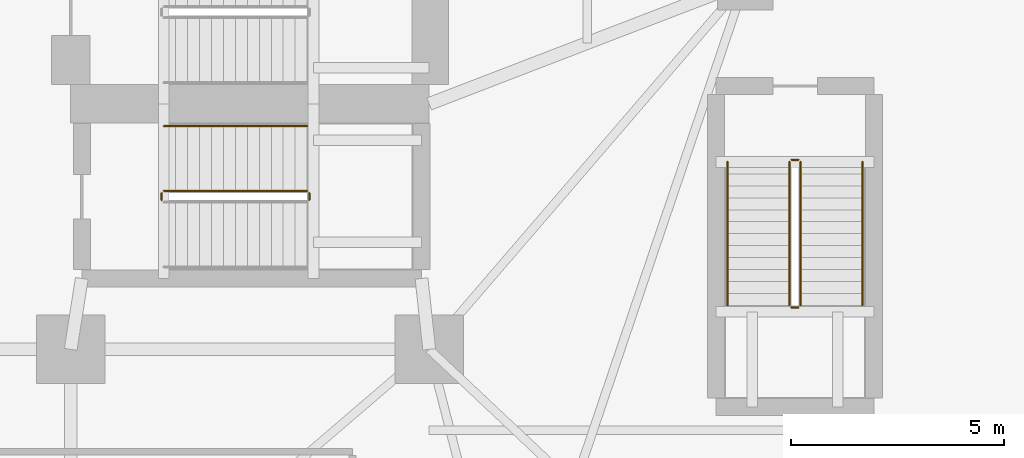
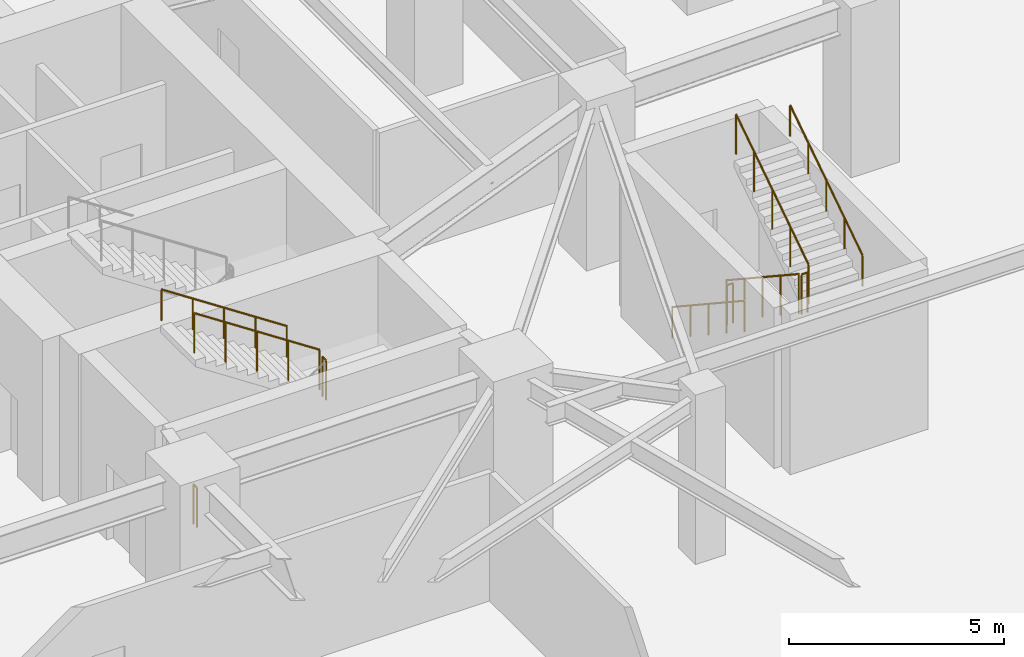
# One storey, part 18 of 23: 10 railings.
"""IFC4 building model written with IfcOpenShell, lengths in metres."""

from ifc_helpers import new_model, si_unit, direction, frame, origin, origin_2d, place, context, subcontext, project, spatial, circle, extrude, material, type_object, element, save


model = new_model("IFC4")

# Units and contexts
model_context = context("Model", 3, precision=1e-05, world=origin(), true_north=direction((0.0, 1.0)))
body_context = subcontext(model_context, "Body", "Model", "MODEL_VIEW")
ifc_project = project(units=[si_unit("LENGTHUNIT", "METRE"), si_unit("AREAUNIT", "SQUARE_METRE"), si_unit("VOLUMEUNIT", "CUBIC_METRE"), si_unit("PLANEANGLEUNIT", "RADIAN"), si_unit("MASSUNIT", "GRAM", prefix="KILO")], contexts=[model_context])

# Site, building, storey
site_placement = place(None, origin())
site = spatial("IfcSite", under=ifc_project, at=site_placement, CompositionType="ELEMENT")
building_placement = place(site_placement, origin())
building = spatial("IfcBuilding", under=site, at=building_placement, Name="Qingluan Cross Belvedere", CompositionType="ELEMENT")
storey_placement = place(building_placement, frame((0.0, 0.0, 5.39990234375)))
storey = spatial("IfcBuildingStorey", under=building, at=storey_placement, Name="L02", CompositionType="ELEMENT", Elevation=5.39990234375)

# Railings
ifc_material_1 = material(Name="Brushed stainless steel tubular handrail", Category="steel")
railing_type_1 = type_object("IfcRailingType", Name="StairPitchHandrail_900", PredefinedType="HANDRAIL", material=ifc_material_1)
railing_1_placement = place(storey_placement, frame((9.5400390625, -7.3701171875, 2.584716796875)))
element("IfcRailing", 1, at=railing_1_placement, inside=storey, type_object=railing_type_1, Name="L02 ST4 stair handrail 2", PredefinedType="HANDRAIL", context=body_context, shape_type="SweptSolid", body=[
    extrude(circle(Radius=0.02392578125, at=origin_2d()), frame((0.0, 0.0, 0.8759765625), z_axis=(-0.834876476806, 0.0, 0.550437342915), x_axis=(0.0, -1.0, 0.0)), (0.0, 0.0, 1.0), 4.024658203125),
    extrude(circle(Radius=0.02099609375, at=origin_2d()), origin(), (0.0, 0.0, 1.0), 0.851806640625),
    extrude(circle(Radius=0.02099609375, at=origin_2d()), frame((-0.840087890625, 0.0, 0.5537109375)), (0.0, 0.0, 1.0), 0.851806640625),
    extrude(circle(Radius=0.02099609375, at=origin_2d()), frame((-1.68017578125, 0.0, 1.107666015625)), (0.0, 0.0, 1.0), 0.851806640625),
    extrude(circle(Radius=0.02099609375, at=origin_2d()), frame((-2.52001953125, 0.0, 1.66162109375)), (0.0, 0.0, 1.0), 0.851806640625),
    extrude(circle(Radius=0.02099609375, at=origin_2d()), frame((-3.360107421875, 0.0, 2.21533203125)), (0.0, 0.0, 1.0), 0.851806640625),
])
railing_2_placement = place(storey_placement, frame((19.389892578125, -8.2099609375, 0.184814453125)))
element("IfcRailing", 2, at=railing_2_placement, inside=storey, type_object=railing_type_1, Name="L02 ST6 stair handrail 1", PredefinedType="HANDRAIL", context=body_context, shape_type="SweptSolid", body=[
    extrude(circle(Radius=0.02392578125, at=origin_2d()), frame((0.0, 0.0, 0.8759765625), z_axis=(0.0, -0.834876476806, 0.550437342915), x_axis=(1.0, 0.0, 0.0)), (0.0, 0.0, 1.0), 4.024658203125),
    extrude(circle(Radius=0.02099609375, at=origin_2d()), origin(), (0.0, 0.0, 1.0), 0.851806640625),
    extrude(circle(Radius=0.02099609375, at=origin_2d()), frame((0.0, -0.840087890625, 0.5537109375)), (0.0, 0.0, 1.0), 0.851806640625),
    extrude(circle(Radius=0.02099609375, at=origin_2d()), frame((0.0, -1.68017578125, 1.107666015625)), (0.0, 0.0, 1.0), 0.851806640625),
    extrude(circle(Radius=0.02099609375, at=origin_2d()), frame((0.0, -2.52001953125, 1.66162109375)), (0.0, 0.0, 1.0), 0.851806640625),
    extrude(circle(Radius=0.02099609375, at=origin_2d()), frame((0.0, -3.360107421875, 2.21533203125)), (0.0, 0.0, 1.0), 0.851806640625),
])
railing_3_placement = place(storey_placement, frame((22.550048828125, -11.570068359375, 2.584716796875)))
element("IfcRailing", 3, at=railing_3_placement, inside=storey, type_object=railing_type_1, Name="L02 ST6 stair handrail 2", PredefinedType="HANDRAIL", context=body_context, shape_type="SweptSolid", body=[
    extrude(circle(Radius=0.02392578125, at=origin_2d()), frame((0.0, 0.0, 0.8759765625), z_axis=(0.0, 0.834876476806, 0.550437342915), x_axis=(-1.0, 0.0, 0.0)), (0.0, 0.0, 1.0), 4.024658203125),
    extrude(circle(Radius=0.02099609375, at=origin_2d()), origin(), (0.0, 0.0, 1.0), 0.851806640625),
    extrude(circle(Radius=0.02099609375, at=origin_2d()), frame((0.0, 0.840087890625, 0.5537109375)), (0.0, 0.0, 1.0), 0.851806640625),
    extrude(circle(Radius=0.02099609375, at=origin_2d()), frame((0.0, 1.68017578125, 1.107666015625)), (0.0, 0.0, 1.0), 0.851806640625),
    extrude(circle(Radius=0.02099609375, at=origin_2d()), frame((0.0, 2.52001953125, 1.66162109375)), (0.0, 0.0, 1.0), 0.851806640625),
    extrude(circle(Radius=0.02099609375, at=origin_2d()), frame((0.0, 3.360107421875, 2.21533203125)), (0.0, 0.0, 1.0), 0.851806640625),
])
ifc_material_2 = material(Name="Painted steel stair well guard", Category="steel")
railing_type_2 = type_object("IfcRailingType", Name="StairWellGuard_1150", PredefinedType="BALUSTRADE", material=ifc_material_2)
railing_4_placement = place(storey_placement, frame((9.590087890625, -9.10009765625, 2.400146484375)))
element("IfcRailing", 4, at=railing_4_placement, inside=storey, type_object=railing_type_2, Name="L02 ST4 stair guard 2", PredefinedType="BALUSTRADE", context=body_context, shape_type="SweptSolid", body=[
    extrude(circle(Radius=0.02392578125, at=origin_2d()), frame((0.0, 0.0, 1.1259765625), z_axis=(0.0, 1.0, 0.0), x_axis=(-1.0, 0.0, 0.0)), (0.0, 0.0, 1.0), 0.16015625),
    extrude(circle(Radius=0.02099609375, at=origin_2d()), origin(), (0.0, 0.0, 1.0), 1.101806640625),
    extrude(circle(Radius=0.02099609375, at=origin_2d()), frame((0.0, 0.16015625, 0.0)), (0.0, 0.0, 1.0), 1.101806640625),
])
railing_5_placement = place(storey_placement, frame((9.5400390625, -8.889892578125, 2.584716796875)))
element("IfcRailing", 5, at=railing_5_placement, inside=storey, type_object=railing_type_2, Name="L02 ST4 stair guard 3", PredefinedType="BALUSTRADE", context=body_context, shape_type="SweptSolid", body=[
    extrude(circle(Radius=0.02392578125, at=origin_2d()), frame((0.0, 0.0, 1.1259765625), z_axis=(-0.834876476806, 0.0, 0.550437342915), x_axis=(0.0, -1.0, 0.0)), (0.0, 0.0, 1.0), 4.024658203125),
    extrude(circle(Radius=0.02099609375, at=origin_2d()), origin(), (0.0, 0.0, 1.0), 1.101806640625),
    extrude(circle(Radius=0.02099609375, at=origin_2d()), frame((-0.840087890625, 0.0, 0.5537109375)), (0.0, 0.0, 1.0), 1.101806640625),
    extrude(circle(Radius=0.02099609375, at=origin_2d()), frame((-1.68017578125, 0.0, 1.107666015625)), (0.0, 0.0, 1.0), 1.101806640625),
    extrude(circle(Radius=0.02099609375, at=origin_2d()), frame((-2.52001953125, 0.0, 1.66162109375)), (0.0, 0.0, 1.0), 1.101806640625),
    extrude(circle(Radius=0.02099609375, at=origin_2d()), frame((-3.360107421875, 0.0, 2.21533203125)), (0.0, 0.0, 1.0), 1.101806640625),
])
railing_6_placement = place(storey_placement, frame((6.1298828125, -9.10009765625, 0.0)))
element("IfcRailing", 6, at=railing_6_placement, inside=storey, type_object=railing_type_2, Name="L02 ST4 stair guard 4", PredefinedType="BALUSTRADE", context=body_context, shape_type="SweptSolid", body=[
    extrude(circle(Radius=0.02392578125, at=origin_2d()), frame((0.0, 0.0, 1.1259765625), z_axis=(0.0, 1.0, 0.0), x_axis=(-1.0, 0.0, 0.0)), (0.0, 0.0, 1.0), 0.16015625),
    extrude(circle(Radius=0.02099609375, at=origin_2d()), origin(), (0.0, 0.0, 1.0), 1.101806640625),
    extrude(circle(Radius=0.02099609375, at=origin_2d()), frame((0.0, 0.16015625, 0.0)), (0.0, 0.0, 1.0), 1.101806640625),
])
railing_7_placement = place(storey_placement, frame((20.840087890625, -8.2099609375, 0.184814453125)))
element("IfcRailing", 7, at=railing_7_placement, inside=storey, type_object=railing_type_2, Name="L02 ST6 stair guard 1", PredefinedType="BALUSTRADE", context=body_context, shape_type="SweptSolid", body=[
    extrude(circle(Radius=0.02392578125, at=origin_2d()), frame((0.0, 0.0, 1.1259765625), z_axis=(0.0, -0.834876476806, 0.550437342915), x_axis=(1.0, 0.0, 0.0)), (0.0, 0.0, 1.0), 4.024658203125),
    extrude(circle(Radius=0.02099609375, at=origin_2d()), origin(), (0.0, 0.0, 1.0), 1.101806640625),
    extrude(circle(Radius=0.02099609375, at=origin_2d()), frame((0.0, -0.840087890625, 0.5537109375)), (0.0, 0.0, 1.0), 1.101806640625),
    extrude(circle(Radius=0.02099609375, at=origin_2d()), frame((0.0, -1.68017578125, 1.107666015625)), (0.0, 0.0, 1.0), 1.101806640625),
    extrude(circle(Radius=0.02099609375, at=origin_2d()), frame((0.0, -2.52001953125, 1.66162109375)), (0.0, 0.0, 1.0), 1.101806640625),
    extrude(circle(Radius=0.02099609375, at=origin_2d()), frame((0.0, -3.360107421875, 2.21533203125)), (0.0, 0.0, 1.0), 1.101806640625),
])
railing_8_placement = place(storey_placement, frame((20.889892578125, -11.6201171875, 2.400146484375)))
element("IfcRailing", 8, at=railing_8_placement, inside=storey, type_object=railing_type_2, Name="L02 ST6 stair guard 2", PredefinedType="BALUSTRADE", context=body_context, shape_type="SweptSolid", body=[
    extrude(circle(Radius=0.02392578125, at=origin_2d()), frame((0.0, 0.0, 1.1259765625), z_axis=(1.0, 0.0, 0.0), x_axis=(0.0, 1.0, 0.0)), (0.0, 0.0, 1.0), 0.16015625),
    extrude(circle(Radius=0.02099609375, at=origin_2d()), origin(), (0.0, 0.0, 1.0), 1.101806640625),
    extrude(circle(Radius=0.02099609375, at=origin_2d()), frame((0.16015625, 0.0, 0.0)), (0.0, 0.0, 1.0), 1.101806640625),
])
railing_9_placement = place(storey_placement, frame((21.10009765625, -11.570068359375, 2.584716796875)))
element("IfcRailing", 9, at=railing_9_placement, inside=storey, type_object=railing_type_2, Name="L02 ST6 stair guard 3", PredefinedType="BALUSTRADE", context=body_context, shape_type="SweptSolid", body=[
    extrude(circle(Radius=0.02392578125, at=origin_2d()), frame((0.0, 0.0, 1.1259765625), z_axis=(0.0, 0.834876476806, 0.550437342915), x_axis=(-1.0, 0.0, 0.0)), (0.0, 0.0, 1.0), 4.024658203125),
    extrude(circle(Radius=0.02099609375, at=origin_2d()), origin(), (0.0, 0.0, 1.0), 1.101806640625),
    extrude(circle(Radius=0.02099609375, at=origin_2d()), frame((0.0, 0.840087890625, 0.5537109375)), (0.0, 0.0, 1.0), 1.101806640625),
    extrude(circle(Radius=0.02099609375, at=origin_2d()), frame((0.0, 1.68017578125, 1.107666015625)), (0.0, 0.0, 1.0), 1.101806640625),
    extrude(circle(Radius=0.02099609375, at=origin_2d()), frame((0.0, 2.52001953125, 1.66162109375)), (0.0, 0.0, 1.0), 1.101806640625),
    extrude(circle(Radius=0.02099609375, at=origin_2d()), frame((0.0, 3.360107421875, 2.21533203125)), (0.0, 0.0, 1.0), 1.101806640625),
])
railing_10_placement = place(storey_placement, frame((20.889892578125, -8.159912109375, 0.0)))
element("IfcRailing", 10, at=railing_10_placement, inside=storey, type_object=railing_type_2, Name="L02 ST6 stair guard 4", PredefinedType="BALUSTRADE", context=body_context, shape_type="SweptSolid", body=[
    extrude(circle(Radius=0.02392578125, at=origin_2d()), frame((0.0, 0.0, 1.1259765625), z_axis=(1.0, 0.0, 0.0), x_axis=(0.0, 1.0, 0.0)), (0.0, 0.0, 1.0), 0.16015625),
    extrude(circle(Radius=0.02099609375, at=origin_2d()), origin(), (0.0, 0.0, 1.0), 1.101806640625),
    extrude(circle(Radius=0.02099609375, at=origin_2d()), frame((0.16015625, 0.0, 0.0)), (0.0, 0.0, 1.0), 1.101806640625),
])

save(model, "model.ifc")
